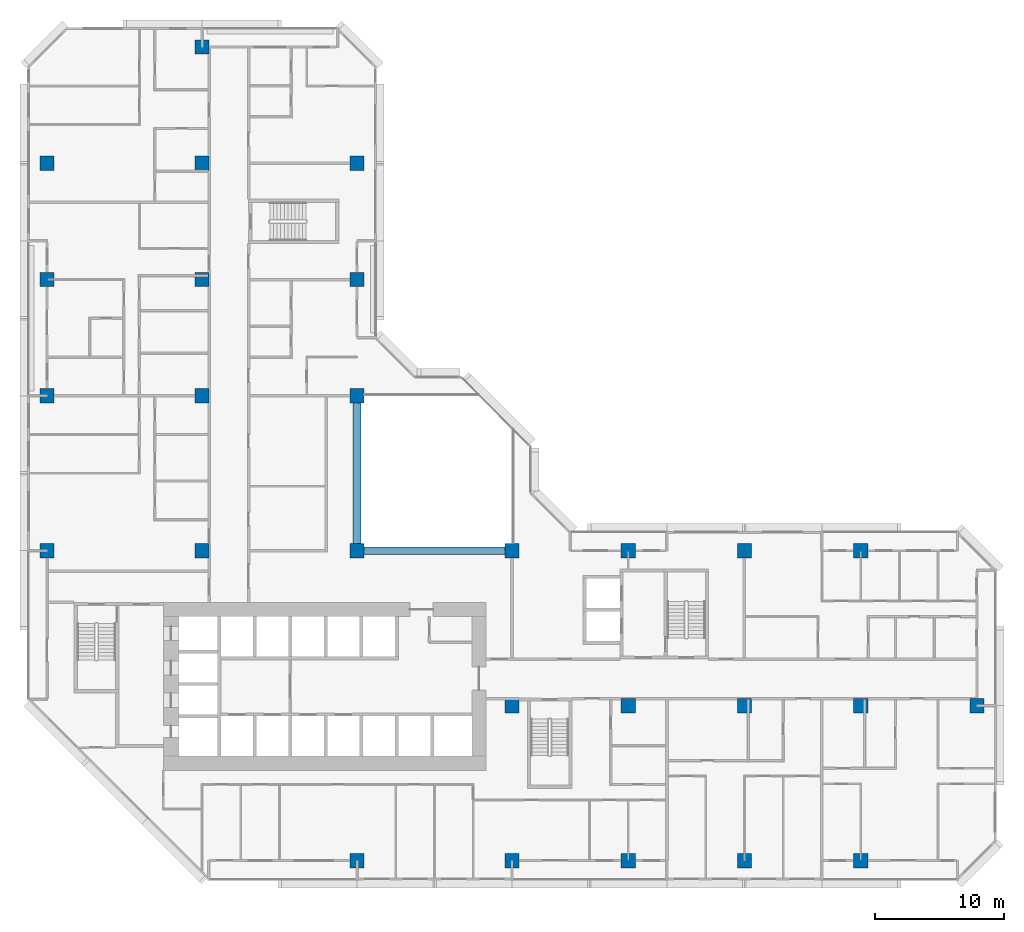
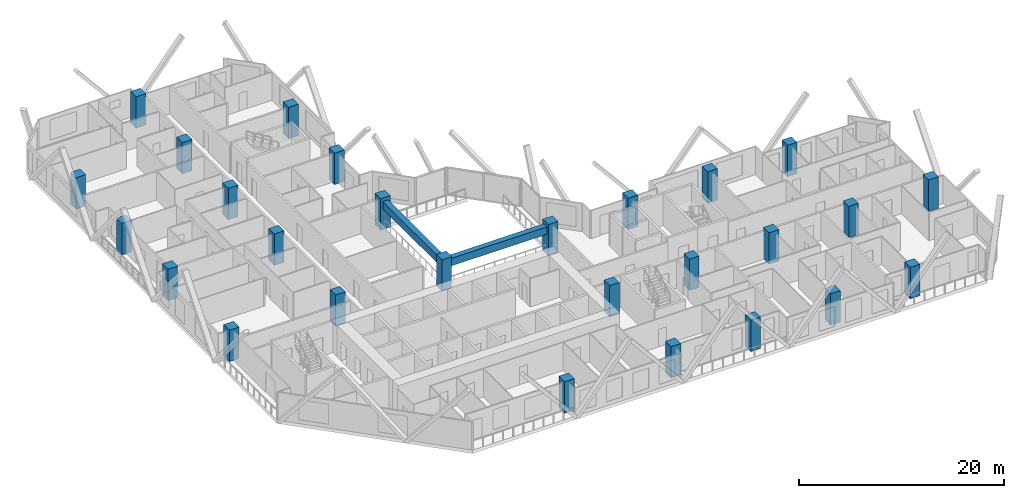
# One storey, part 1 of 15: 27 columns, 2 beams.
"""IFC4 building model written with IfcOpenShell, lengths in metres."""

from ifc_helpers import new_model, si_unit, direction, frame, origin, origin_2d, place, context, subcontext, project, spatial, rectangle, extrude, material, material_profile, profile_set, type_object, element, save


model = new_model("IFC4")

# Units and contexts
model_context = context("Model", 3, precision=1e-05, world=origin(), true_north=direction((0.0, 1.0)))
body_context = subcontext(model_context, "Body", "Model", "MODEL_VIEW")
ifc_project = project(units=[si_unit("LENGTHUNIT", "METRE"), si_unit("AREAUNIT", "SQUARE_METRE"), si_unit("VOLUMEUNIT", "CUBIC_METRE"), si_unit("PLANEANGLEUNIT", "RADIAN"), si_unit("MASSUNIT", "GRAM", prefix="KILO")], contexts=[model_context])

# Site, building, storey
site_placement = place(None, origin())
site = spatial("IfcSite", under=ifc_project, at=site_placement, CompositionType="ELEMENT")
building_placement = place(site_placement, origin())
building = spatial("IfcBuilding", under=site, at=building_placement, Name="Chenar Terraces", CompositionType="ELEMENT")
storey_placement = place(building_placement, frame((0.0, 0.0, 41.39990234375)))
storey = spatial("IfcBuildingStorey", under=building, at=storey_placement, Name="L07", CompositionType="ELEMENT", Elevation=41.39990234375)

# Columns
ifc_material_1 = material(Name="Concrete C70/85", Category="concrete")
ifc_material_profile_1 = material_profile(ifc_material_1, rectangle(XDim=1.10009765625, YDim=1.10009765625, at=origin_2d()), Name="C 1100 x 1100")
ifc_profile_set_1 = profile_set([ifc_material_profile_1], Name="Concrete C70/85")
column_type = type_object("IfcColumnType", Name="Column C 1100 x 1100 Concrete C70/85", PredefinedType="COLUMN", material=ifc_profile_set_1)
column_1_placement = place(storey_placement, frame((0.0, 24.0, 0.0), z_axis=(0.0, 0.0, 1.0), x_axis=(1.0, 0.0, 0.0)))
element("IfcColumn", 1, at=column_1_placement, inside=storey, type_object=column_type, Name="Column 5/G L07", PredefinedType="COLUMN", context=body_context, shape_type="SweptSolid", body=[
    extrude(rectangle(XDim=1.10009765625, YDim=1.10009765625, at=origin_2d()), origin(), (0.0, 0.0, 1.0), 3.75),
])
column_2_placement = place(storey_placement, frame((0.0, 36.0, 0.0), z_axis=(0.0, 0.0, 1.0), x_axis=(1.0, 0.0, 0.0)))
element("IfcColumn", 2, at=column_2_placement, inside=storey, type_object=column_type, Name="Column 5/H L07", PredefinedType="COLUMN", context=body_context, shape_type="SweptSolid", body=[
    extrude(rectangle(XDim=1.10009765625, YDim=1.10009765625, at=origin_2d()), origin(), (0.0, 0.0, 1.0), 3.75),
])
for number, where, z_axis, x_axis, name in (
    (3, (0.0, 45.0, 0.0), (0.0, 0.0, 1.0), (1.0, 0.0, 0.0), "Column 5/J L07"),
    (4, (0.0, 54.0, 0.0), (0.0, 0.0, 1.0), (1.0, 0.0, 0.0), "Column 5/K L07"),
    (5, (12.0, 24.0, 0.0), (0.0, 0.0, 1.0), (1.0, 0.0, 0.0), "Column 6/G L07"),
    (6, (12.0, 36.0, 0.0), (0.0, 0.0, 1.0), (1.0, 0.0, 0.0), "Column 6/H L07"),
    (7, (12.0, 45.0, 0.0), (0.0, 0.0, 1.0), (1.0, 0.0, 0.0), "Column 6/J L07"),
    (8, (12.0, 54.0, 0.0), (0.0, 0.0, 1.0), (1.0, 0.0, 0.0), "Column 6/K L07"),
    (9, (12.0, 63.0, 0.0), (0.0, 0.0, 1.0), (1.0, 0.0, 0.0), "Column 6/L L07"),
    (10, (24.0, 0.0, 0.0), (0.0, 0.0, 1.0), (1.0, 0.0, 0.0), "Column 7/E L07"),
    (11, (24.0, 24.0, 0.0), (0.0, 0.0, 1.0), (1.0, 0.0, 0.0), "Column 7/G L07"),
    (12, (24.0, 36.0, 0.0), (0.0, 0.0, 1.0), (1.0, 0.0, 0.0), "Column 7/H L07"),
    (13, (24.0, 45.0, 0.0), (0.0, 0.0, 1.0), (1.0, 0.0, 0.0), "Column 7/J L07"),
    (14, (24.0, 54.0, 0.0), (0.0, 0.0, 1.0), (1.0, 0.0, 0.0), "Column 7/K L07"),
    (15, (36.0, 0.0, 0.0), (0.0, 0.0, 1.0), (1.0, 0.0, 0.0), "Column 8/E L07"),
    (16, (36.0, 12.0, 0.0), (0.0, 0.0, 1.0), (1.0, 0.0, 0.0), "Column 8/F L07"),
    (17, (36.0, 24.0, 0.0), (0.0, 0.0, 1.0), (1.0, 0.0, 0.0), "Column 8/G L07"),
    (18, (45.0, 0.0, 0.0), (0.0, 0.0, 1.0), (1.0, 0.0, 0.0), "Column 9/E L07"),
    (19, (45.0, 12.0, 0.0), (0.0, 0.0, 1.0), (1.0, 0.0, 0.0), "Column 9/F L07"),
    (20, (45.0, 24.0, 0.0), (0.0, 0.0, 1.0), (1.0, 0.0, 0.0), "Column 9/G L07"),
    (21, (54.0, 0.0, 0.0), (0.0, 0.0, 1.0), (1.0, 0.0, 0.0), "Column 10/E L07"),
    (22, (54.0, 12.0, 0.0), (0.0, 0.0, 1.0), (1.0, 0.0, 0.0), "Column 10/F L07"),
    (23, (54.0, 24.0, 0.0), (0.0, 0.0, 1.0), (1.0, 0.0, 0.0), "Column 10/G L07"),
    (24, (63.0, 0.0, 0.0), (0.0, 0.0, 1.0), (1.0, 0.0, 0.0), "Column 11/E L07"),
    (25, (63.0, 12.0, 0.0), (0.0, 0.0, 1.0), (1.0, 0.0, 0.0), "Column 11/F L07"),
    (26, (63.0, 24.0, 0.0), (0.0, 0.0, 1.0), (1.0, 0.0, 0.0), "Column 11/G L07"),
    (27, (72.0, 12.0, 0.0), (0.0, 0.0, 1.0), (1.0, 0.0, 0.0), "Column 12/F L07"),
):
    element("IfcColumn", number, at=place(storey_placement, frame(where, z_axis=z_axis, x_axis=x_axis)), inside=storey, type_object=column_type, Name=name, PredefinedType="COLUMN", context=body_context, shape_type="SweptSolid", body=[
        extrude(rectangle(XDim=1.10009765625, YDim=1.10009765625, at=origin_2d()), origin(), (0.0, 0.0, 1.0), 3.75),
    ])

# Beams
ifc_material_2 = material(Name="Concrete C40/50", Category="concrete")
ifc_material_profile_2 = material_profile(ifc_material_2, rectangle(XDim=0.60009765625, YDim=0.89990234375, at=origin_2d()), Name="RC 600 x 900")
ifc_profile_set_2 = profile_set([ifc_material_profile_2], Name="Concrete C40/50")
beam_type = type_object("IfcBeamType", Name="Atrium edge beam 600 x 900 Concrete C40/50", PredefinedType="BEAM", material=ifc_profile_set_2)
for number, where, z_axis, x_axis, name in (
    (28, (24.550048828125, 24.0, 2.900146484375), (1.0, 0.0, 0.0), (0.0, 1.0, 0.0), "Atrium edge beam L08 1"),
    (29, (24.0, 35.449951171875, 2.900146484375), (0.0, -1.0, 0.0), (1.0, 0.0, 0.0), "Atrium edge beam L08 4"),
):
    element("IfcBeam", number, at=place(storey_placement, frame(where, z_axis=z_axis, x_axis=x_axis)), inside=storey, type_object=beam_type, Name=name, PredefinedType="BEAM", context=body_context, shape_type="SweptSolid", body=[
        extrude(rectangle(XDim=0.60009765625, YDim=0.89990234375, at=origin_2d()), origin(), (0.0, 0.0, 1.0), 10.89990234375),
    ])

save(model, "model.ifc")
